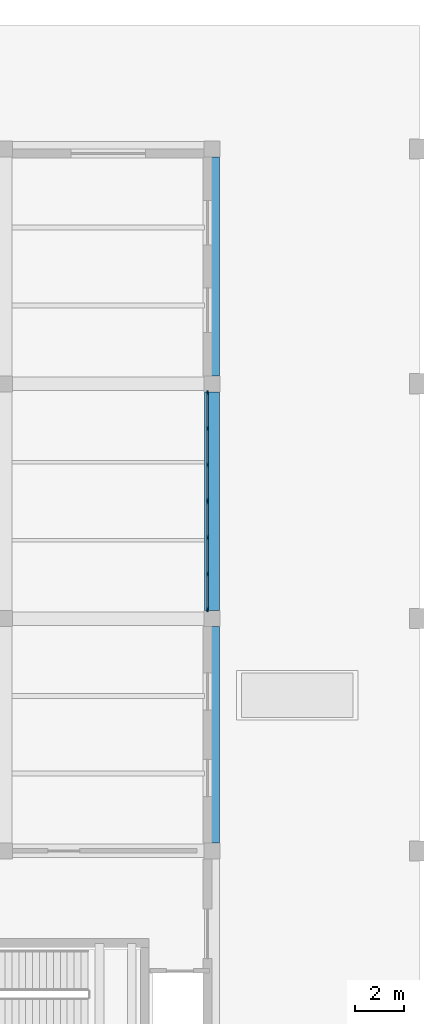
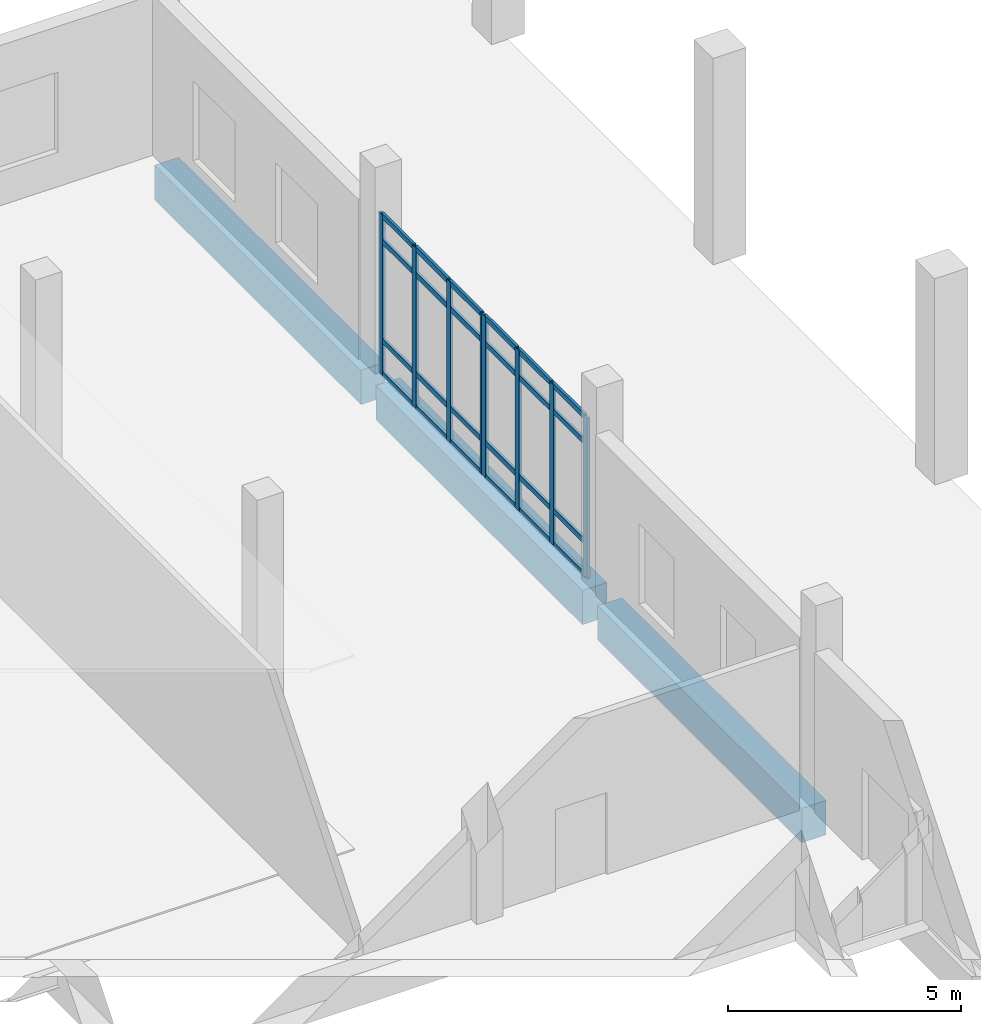
# One storey, part 25 of 79: 32 members, 3 beams, 2 elements without a shape of their own.
"""IFC4 building model written with IfcOpenShell, lengths in metres."""

from ifc_helpers import new_model, si_unit, direction, frame, origin, origin_2d, place, context, subcontext, project, spatial, rectangle, extrude, material, layer, layer_set, material_profile, profile_set, type_object, element, aggregate, save


model = new_model("IFC4")

# Units and contexts
model_context = context("Model", 3, precision=1e-05, world=origin(), true_north=direction((0.0, 1.0)))
body_context = subcontext(model_context, "Body", "Model", "MODEL_VIEW")
ifc_project = project(units=[si_unit("LENGTHUNIT", "METRE"), si_unit("AREAUNIT", "SQUARE_METRE"), si_unit("VOLUMEUNIT", "CUBIC_METRE"), si_unit("PLANEANGLEUNIT", "RADIAN"), si_unit("MASSUNIT", "GRAM", prefix="KILO")], contexts=[model_context])

# Site, building, storey
site_placement = place(None, origin())
site = spatial("IfcSite", under=ifc_project, at=site_placement, CompositionType="ELEMENT")
building_placement = place(site_placement, origin())
building = spatial("IfcBuilding", under=site, at=building_placement, Name="Kelarvand Opera House", CompositionType="ELEMENT")
storey_placement = place(building_placement, origin())
storey = spatial("IfcBuildingStorey", under=building, at=storey_placement, Name="L00", CompositionType="ELEMENT", Elevation=0.0)

# Curtain wall, members
ifc_material_1 = material(Name="Thermally broken aluminium and low-E glazing", Category="aluminium")
ifc_layer = layer(ifc_material_1, 0.179931640625, Name="Thermally broken aluminium and low-E glazing", Category="aluminium")
ifc_layer_set = layer_set([ifc_layer], Name="Thermally broken aluminium and low-E glazing")
curtain_wall_type = type_object("IfcCurtainWallType", Name="Unitised Low-E Curtain Wall 4411x4200 Mod 1350 CWF-11", PredefinedType="USERDEFINED", material=ifc_layer_set)
curtain_wall_1_placement = place(storey_placement, origin())
curtain_wall_1 = element("IfcCurtainWall", 1, at=curtain_wall_1_placement, inside=storey, type_object=curtain_wall_type, Name="V3 L00 Curtain Wall CWF-11 (39)", ObjectType="UNITISED CURTAIN WALL", PredefinedType="USERDEFINED")
ifc_material_2 = material(Name="Thermally broken anodised aluminium", Category="aluminium")
ifc_material_profile_1 = material_profile(ifc_material_2, rectangle(XDim=0.06494140625, YDim=0.179931640625, at=origin_2d()), Name="ALU MULLION 65x180", Category="aluminium")
ifc_profile_set_1 = profile_set([ifc_material_profile_1], Name="Thermally broken anodised aluminium")
member_type_1 = type_object("IfcMemberType", Name="Curtain Wall Mullion 65x180 Aluminium", PredefinedType="MULLION", material=ifc_profile_set_1)
member_1_placement = place(storey_placement, frame((42.419921875, 115.132568359375, 0.0), z_axis=(0.0, 0.0, 1.0), x_axis=(1.0, 0.0, 0.0)))
member_1 = element("IfcMember", 2, at=member_1_placement, type_object=member_type_1, Name="CWF-11 mullion 1", PredefinedType="MULLION", context=body_context, shape_type="SweptSolid", body=[
    extrude(rectangle(XDim=0.06494140625, YDim=0.179931640625, at=origin_2d()), origin(), (0.0, 0.0, 1.0), 4.199951171875),
])
member_2_placement = place(storey_placement, frame((42.419921875, 113.694580078125, 0.0), z_axis=(0.0, 0.0, 1.0), x_axis=(1.0, 0.0, 0.0)))
member_2 = element("IfcMember", 3, at=member_2_placement, type_object=member_type_1, Name="CWF-11 mullion 2", PredefinedType="MULLION", context=body_context, shape_type="SweptSolid", body=[
    extrude(rectangle(XDim=0.06494140625, YDim=0.179931640625, at=origin_2d()), origin(), (0.0, 0.0, 1.0), 4.199951171875),
])
member_3_placement = place(storey_placement, frame((42.419921875, 112.224365234375, 0.0), z_axis=(0.0, 0.0, 1.0), x_axis=(1.0, 0.0, 0.0)))
member_3 = element("IfcMember", 4, at=member_3_placement, type_object=member_type_1, Name="CWF-11 mullion 3", PredefinedType="MULLION", context=body_context, shape_type="SweptSolid", body=[
    extrude(rectangle(XDim=0.06494140625, YDim=0.179931640625, at=origin_2d()), origin(), (0.0, 0.0, 1.0), 4.199951171875),
])
member_4_placement = place(storey_placement, frame((42.419921875, 110.78662109375, 0.0), z_axis=(0.0, 0.0, 1.0), x_axis=(1.0, 0.0, 0.0)))
member_4 = element("IfcMember", 5, at=member_4_placement, type_object=member_type_1, Name="CWF-11 mullion 4", PredefinedType="MULLION", context=body_context, shape_type="SweptSolid", body=[
    extrude(rectangle(XDim=0.06494140625, YDim=0.179931640625, at=origin_2d()), origin(), (0.0, 0.0, 1.0), 4.199951171875),
])

curtain_wall_2_placement = place(storey_placement, origin())
curtain_wall_2 = element("IfcCurtainWall", 6, at=curtain_wall_2_placement, inside=storey, type_object=curtain_wall_type, Name="V3 L00 Curtain Wall CWF-11 (40)", ObjectType="UNITISED CURTAIN WALL", PredefinedType="USERDEFINED")
member_5_placement = place(storey_placement, frame((42.419921875, 110.717529296875, 0.0), z_axis=(0.0, 0.0, 1.0), x_axis=(1.0, 0.0, 0.0)))
member_5 = element("IfcMember", 7, at=member_5_placement, type_object=member_type_1, Name="CWF-11 mullion 1", PredefinedType="MULLION", context=body_context, shape_type="SweptSolid", body=[
    extrude(rectangle(XDim=0.06494140625, YDim=0.179931640625, at=origin_2d()), origin(), (0.0, 0.0, 1.0), 4.199951171875),
])
member_6_placement = place(storey_placement, frame((42.419921875, 109.2783203125, 0.0), z_axis=(0.0, 0.0, 1.0), x_axis=(1.0, 0.0, 0.0)))
member_6 = element("IfcMember", 8, at=member_6_placement, type_object=member_type_1, Name="CWF-11 mullion 2", PredefinedType="MULLION", context=body_context, shape_type="SweptSolid", body=[
    extrude(rectangle(XDim=0.06494140625, YDim=0.179931640625, at=origin_2d()), origin(), (0.0, 0.0, 1.0), 4.199951171875),
])
member_7_placement = place(storey_placement, frame((42.419921875, 107.806640625, 0.0), z_axis=(0.0, 0.0, 1.0), x_axis=(1.0, 0.0, 0.0)))
member_7 = element("IfcMember", 9, at=member_7_placement, type_object=member_type_1, Name="CWF-11 mullion 3", PredefinedType="MULLION", context=body_context, shape_type="SweptSolid", body=[
    extrude(rectangle(XDim=0.06494140625, YDim=0.179931640625, at=origin_2d()), origin(), (0.0, 0.0, 1.0), 4.199951171875),
])
member_8_placement = place(storey_placement, frame((42.419921875, 106.367431640625, 0.0), z_axis=(0.0, 0.0, 1.0), x_axis=(1.0, 0.0, 0.0)))
member_8 = element("IfcMember", 10, at=member_8_placement, type_object=member_type_1, Name="CWF-11 mullion 4", PredefinedType="MULLION", context=body_context, shape_type="SweptSolid", body=[
    extrude(rectangle(XDim=0.06494140625, YDim=0.179931640625, at=origin_2d()), origin(), (0.0, 0.0, 1.0), 4.199951171875),
])

# Member
ifc_material_profile_2 = material_profile(ifc_material_2, rectangle(XDim=0.06494140625, YDim=0.139892578125, at=origin_2d()), Name="ALU TRANSOM 65x140", Category="aluminium")
ifc_profile_set_2 = profile_set([ifc_material_profile_2], Name="Thermally broken anodised aluminium")
member_type_2 = type_object("IfcMemberType", Name="Curtain Wall Transom 65x140 Aluminium", PredefinedType="USERDEFINED", material=ifc_profile_set_2)
member_9_placement = place(storey_placement, frame((42.419921875, 115.10009765625, 0.032470703125), z_axis=(0.0, -1.0, 0.0), x_axis=(1.0, 0.0, 0.0)))
member_9 = element("IfcMember", 11, at=member_9_placement, type_object=member_type_2, Name="CWF-11 transom 1.1", ObjectType="TRANSOM", PredefinedType="USERDEFINED", context=body_context, shape_type="SweptSolid", body=[
    extrude(rectangle(XDim=0.06494140625, YDim=0.139892578125, at=origin_2d()), origin(), (0.0, 0.0, 1.0), 1.373046875),
])

member_10_placement = place(storey_placement, frame((42.419921875, 115.10009765625, 0.89990234375), z_axis=(0.0, -1.0, 0.0), x_axis=(1.0, 0.0, 0.0)))
member_10 = element("IfcMember", 12, at=member_10_placement, type_object=member_type_2, Name="CWF-11 transom 1.2", ObjectType="TRANSOM", PredefinedType="USERDEFINED", context=body_context, shape_type="SweptSolid", body=[
    extrude(rectangle(XDim=0.06494140625, YDim=0.139892578125, at=origin_2d()), origin(), (0.0, 0.0, 1.0), 1.373046875),
])

member_11_placement = place(storey_placement, frame((42.419921875, 115.10009765625, 3.5), z_axis=(0.0, -1.0, 0.0), x_axis=(1.0, 0.0, 0.0)))
member_11 = element("IfcMember", 13, at=member_11_placement, type_object=member_type_2, Name="CWF-11 transom 1.3", ObjectType="TRANSOM", PredefinedType="USERDEFINED", context=body_context, shape_type="SweptSolid", body=[
    extrude(rectangle(XDim=0.06494140625, YDim=0.139892578125, at=origin_2d()), origin(), (0.0, 0.0, 1.0), 1.373046875),
])

member_12_placement = place(storey_placement, frame((42.419921875, 115.10009765625, 4.16748046875), z_axis=(0.0, -1.0, 0.0), x_axis=(1.0, 0.0, 0.0)))
member_12 = element("IfcMember", 14, at=member_12_placement, type_object=member_type_2, Name="CWF-11 transom 1.4", ObjectType="TRANSOM", PredefinedType="USERDEFINED", context=body_context, shape_type="SweptSolid", body=[
    extrude(rectangle(XDim=0.06494140625, YDim=0.139892578125, at=origin_2d()), origin(), (0.0, 0.0, 1.0), 1.373046875),
])

member_13_placement = place(storey_placement, frame((42.419921875, 113.662109375, 0.032470703125), z_axis=(0.0, -1.0, 0.0), x_axis=(1.0, 0.0, 0.0)))
member_13 = element("IfcMember", 15, at=member_13_placement, type_object=member_type_2, Name="CWF-11 transom 2.1", ObjectType="TRANSOM", PredefinedType="USERDEFINED", context=body_context, shape_type="SweptSolid", body=[
    extrude(rectangle(XDim=0.06494140625, YDim=0.139892578125, at=origin_2d()), origin(), (0.0, 0.0, 1.0), 1.4052734375),
])

member_14_placement = place(storey_placement, frame((42.419921875, 113.662109375, 0.89990234375), z_axis=(0.0, -1.0, 0.0), x_axis=(1.0, 0.0, 0.0)))
member_14 = element("IfcMember", 16, at=member_14_placement, type_object=member_type_2, Name="CWF-11 transom 2.2", ObjectType="TRANSOM", PredefinedType="USERDEFINED", context=body_context, shape_type="SweptSolid", body=[
    extrude(rectangle(XDim=0.06494140625, YDim=0.139892578125, at=origin_2d()), origin(), (0.0, 0.0, 1.0), 1.4052734375),
])

member_15_placement = place(storey_placement, frame((42.419921875, 113.662109375, 3.5), z_axis=(0.0, -1.0, 0.0), x_axis=(1.0, 0.0, 0.0)))
member_15 = element("IfcMember", 17, at=member_15_placement, type_object=member_type_2, Name="CWF-11 transom 2.3", ObjectType="TRANSOM", PredefinedType="USERDEFINED", context=body_context, shape_type="SweptSolid", body=[
    extrude(rectangle(XDim=0.06494140625, YDim=0.139892578125, at=origin_2d()), origin(), (0.0, 0.0, 1.0), 1.4052734375),
])

member_16_placement = place(storey_placement, frame((42.419921875, 113.662109375, 4.16748046875), z_axis=(0.0, -1.0, 0.0), x_axis=(1.0, 0.0, 0.0)))
member_16 = element("IfcMember", 18, at=member_16_placement, type_object=member_type_2, Name="CWF-11 transom 2.4", ObjectType="TRANSOM", PredefinedType="USERDEFINED", context=body_context, shape_type="SweptSolid", body=[
    extrude(rectangle(XDim=0.06494140625, YDim=0.139892578125, at=origin_2d()), origin(), (0.0, 0.0, 1.0), 1.4052734375),
])

member_17_placement = place(storey_placement, frame((42.419921875, 112.19189453125, 0.032470703125), z_axis=(0.0, -1.0, 0.0), x_axis=(1.0, 0.0, 0.0)))
member_17 = element("IfcMember", 19, at=member_17_placement, type_object=member_type_2, Name="CWF-11 transom 3.1", ObjectType="TRANSOM", PredefinedType="USERDEFINED", context=body_context, shape_type="SweptSolid", body=[
    extrude(rectangle(XDim=0.06494140625, YDim=0.139892578125, at=origin_2d()), origin(), (0.0, 0.0, 1.0), 1.372802734375),
])

member_18_placement = place(storey_placement, frame((42.419921875, 112.19189453125, 0.89990234375), z_axis=(0.0, -1.0, 0.0), x_axis=(1.0, 0.0, 0.0)))
member_18 = element("IfcMember", 20, at=member_18_placement, type_object=member_type_2, Name="CWF-11 transom 3.2", ObjectType="TRANSOM", PredefinedType="USERDEFINED", context=body_context, shape_type="SweptSolid", body=[
    extrude(rectangle(XDim=0.06494140625, YDim=0.139892578125, at=origin_2d()), origin(), (0.0, 0.0, 1.0), 1.372802734375),
])

member_19_placement = place(storey_placement, frame((42.419921875, 112.19189453125, 3.5), z_axis=(0.0, -1.0, 0.0), x_axis=(1.0, 0.0, 0.0)))
member_19 = element("IfcMember", 21, at=member_19_placement, type_object=member_type_2, Name="CWF-11 transom 3.3", ObjectType="TRANSOM", PredefinedType="USERDEFINED", context=body_context, shape_type="SweptSolid", body=[
    extrude(rectangle(XDim=0.06494140625, YDim=0.139892578125, at=origin_2d()), origin(), (0.0, 0.0, 1.0), 1.372802734375),
])

member_20_placement = place(storey_placement, frame((42.419921875, 112.19189453125, 4.16748046875), z_axis=(0.0, -1.0, 0.0), x_axis=(1.0, 0.0, 0.0)))
member_20 = element("IfcMember", 22, at=member_20_placement, type_object=member_type_2, Name="CWF-11 transom 3.4", ObjectType="TRANSOM", PredefinedType="USERDEFINED", context=body_context, shape_type="SweptSolid", body=[
    extrude(rectangle(XDim=0.06494140625, YDim=0.139892578125, at=origin_2d()), origin(), (0.0, 0.0, 1.0), 1.372802734375),
])

aggregate(curtain_wall_1, [member_1, member_2, member_3, member_4, member_9, member_10, member_11, member_12, member_13, member_14, member_15, member_16, member_17, member_18, member_19, member_20])

member_21_placement = place(storey_placement, frame((42.419921875, 110.68505859375, 0.032470703125), z_axis=(0.0, -1.0, 0.0), x_axis=(1.0, 0.0, 0.0)))
member_21 = element("IfcMember", 23, at=member_21_placement, type_object=member_type_2, Name="CWF-11 transom 1.1", ObjectType="TRANSOM", PredefinedType="USERDEFINED", context=body_context, shape_type="SweptSolid", body=[
    extrude(rectangle(XDim=0.06494140625, YDim=0.139892578125, at=origin_2d()), origin(), (0.0, 0.0, 1.0), 1.374267578125),
])

member_22_placement = place(storey_placement, frame((42.419921875, 110.68505859375, 0.89990234375), z_axis=(0.0, -1.0, 0.0), x_axis=(1.0, 0.0, 0.0)))
member_22 = element("IfcMember", 24, at=member_22_placement, type_object=member_type_2, Name="CWF-11 transom 1.2", ObjectType="TRANSOM", PredefinedType="USERDEFINED", context=body_context, shape_type="SweptSolid", body=[
    extrude(rectangle(XDim=0.06494140625, YDim=0.139892578125, at=origin_2d()), origin(), (0.0, 0.0, 1.0), 1.374267578125),
])

member_23_placement = place(storey_placement, frame((42.419921875, 110.68505859375, 3.5), z_axis=(0.0, -1.0, 0.0), x_axis=(1.0, 0.0, 0.0)))
member_23 = element("IfcMember", 25, at=member_23_placement, type_object=member_type_2, Name="CWF-11 transom 1.3", ObjectType="TRANSOM", PredefinedType="USERDEFINED", context=body_context, shape_type="SweptSolid", body=[
    extrude(rectangle(XDim=0.06494140625, YDim=0.139892578125, at=origin_2d()), origin(), (0.0, 0.0, 1.0), 1.374267578125),
])

member_24_placement = place(storey_placement, frame((42.419921875, 110.68505859375, 4.16748046875), z_axis=(0.0, -1.0, 0.0), x_axis=(1.0, 0.0, 0.0)))
member_24 = element("IfcMember", 26, at=member_24_placement, type_object=member_type_2, Name="CWF-11 transom 1.4", ObjectType="TRANSOM", PredefinedType="USERDEFINED", context=body_context, shape_type="SweptSolid", body=[
    extrude(rectangle(XDim=0.06494140625, YDim=0.139892578125, at=origin_2d()), origin(), (0.0, 0.0, 1.0), 1.374267578125),
])

member_25_placement = place(storey_placement, frame((42.419921875, 109.245849609375, 0.032470703125), z_axis=(0.0, -1.0, 0.0), x_axis=(1.0, 0.0, 0.0)))
member_25 = element("IfcMember", 27, at=member_25_placement, type_object=member_type_2, Name="CWF-11 transom 2.1", ObjectType="TRANSOM", PredefinedType="USERDEFINED", context=body_context, shape_type="SweptSolid", body=[
    extrude(rectangle(XDim=0.06494140625, YDim=0.139892578125, at=origin_2d()), origin(), (0.0, 0.0, 1.0), 1.40673828125),
])

member_26_placement = place(storey_placement, frame((42.419921875, 109.245849609375, 0.89990234375), z_axis=(0.0, -1.0, 0.0), x_axis=(1.0, 0.0, 0.0)))
member_26 = element("IfcMember", 28, at=member_26_placement, type_object=member_type_2, Name="CWF-11 transom 2.2", ObjectType="TRANSOM", PredefinedType="USERDEFINED", context=body_context, shape_type="SweptSolid", body=[
    extrude(rectangle(XDim=0.06494140625, YDim=0.139892578125, at=origin_2d()), origin(), (0.0, 0.0, 1.0), 1.40673828125),
])

member_27_placement = place(storey_placement, frame((42.419921875, 109.245849609375, 3.5), z_axis=(0.0, -1.0, 0.0), x_axis=(1.0, 0.0, 0.0)))
member_27 = element("IfcMember", 29, at=member_27_placement, type_object=member_type_2, Name="CWF-11 transom 2.3", ObjectType="TRANSOM", PredefinedType="USERDEFINED", context=body_context, shape_type="SweptSolid", body=[
    extrude(rectangle(XDim=0.06494140625, YDim=0.139892578125, at=origin_2d()), origin(), (0.0, 0.0, 1.0), 1.40673828125),
])

member_28_placement = place(storey_placement, frame((42.419921875, 109.245849609375, 4.16748046875), z_axis=(0.0, -1.0, 0.0), x_axis=(1.0, 0.0, 0.0)))
member_28 = element("IfcMember", 30, at=member_28_placement, type_object=member_type_2, Name="CWF-11 transom 2.4", ObjectType="TRANSOM", PredefinedType="USERDEFINED", context=body_context, shape_type="SweptSolid", body=[
    extrude(rectangle(XDim=0.06494140625, YDim=0.139892578125, at=origin_2d()), origin(), (0.0, 0.0, 1.0), 1.40673828125),
])

member_29_placement = place(storey_placement, frame((42.419921875, 107.774169921875, 0.032470703125), z_axis=(0.0, -1.0, 0.0), x_axis=(1.0, 0.0, 0.0)))
member_29 = element("IfcMember", 31, at=member_29_placement, type_object=member_type_2, Name="CWF-11 transom 3.1", ObjectType="TRANSOM", PredefinedType="USERDEFINED", context=body_context, shape_type="SweptSolid", body=[
    extrude(rectangle(XDim=0.06494140625, YDim=0.139892578125, at=origin_2d()), origin(), (0.0, 0.0, 1.0), 1.374267578125),
])

member_30_placement = place(storey_placement, frame((42.419921875, 107.774169921875, 0.89990234375), z_axis=(0.0, -1.0, 0.0), x_axis=(1.0, 0.0, 0.0)))
member_30 = element("IfcMember", 32, at=member_30_placement, type_object=member_type_2, Name="CWF-11 transom 3.2", ObjectType="TRANSOM", PredefinedType="USERDEFINED", context=body_context, shape_type="SweptSolid", body=[
    extrude(rectangle(XDim=0.06494140625, YDim=0.139892578125, at=origin_2d()), origin(), (0.0, 0.0, 1.0), 1.374267578125),
])

member_31_placement = place(storey_placement, frame((42.419921875, 107.774169921875, 3.5), z_axis=(0.0, -1.0, 0.0), x_axis=(1.0, 0.0, 0.0)))
member_31 = element("IfcMember", 33, at=member_31_placement, type_object=member_type_2, Name="CWF-11 transom 3.3", ObjectType="TRANSOM", PredefinedType="USERDEFINED", context=body_context, shape_type="SweptSolid", body=[
    extrude(rectangle(XDim=0.06494140625, YDim=0.139892578125, at=origin_2d()), origin(), (0.0, 0.0, 1.0), 1.374267578125),
])

member_32_placement = place(storey_placement, frame((42.419921875, 107.774169921875, 4.16748046875), z_axis=(0.0, -1.0, 0.0), x_axis=(1.0, 0.0, 0.0)))
member_32 = element("IfcMember", 34, at=member_32_placement, type_object=member_type_2, Name="CWF-11 transom 3.4", ObjectType="TRANSOM", PredefinedType="USERDEFINED", context=body_context, shape_type="SweptSolid", body=[
    extrude(rectangle(XDim=0.06494140625, YDim=0.139892578125, at=origin_2d()), origin(), (0.0, 0.0, 1.0), 1.374267578125),
])

aggregate(curtain_wall_2, [member_5, member_6, member_7, member_8, member_21, member_22, member_23, member_24, member_25, member_26, member_27, member_28, member_29, member_30, member_31, member_32])

# Beams
ifc_material_3 = material(Name="Concrete C40/50", Category="concrete")
ifc_material_profile_3 = material_profile(ifc_material_3, rectangle(XDim=0.60009765625, YDim=0.89990234375, at=origin_2d()), Name="RC 600x900", Category="concrete")
ifc_profile_set_3 = profile_set([ifc_material_profile_3], Name="Concrete C40/50")
beam_type = type_object("IfcBeamType", Name="Structural Beam RC 600x900 BM-RC600x900", PredefinedType="BEAM", material=ifc_profile_set_3)
beam_placement = place(storey_placement, frame((42.60009765625, 96.925048828125, -0.75), z_axis=(0.0, 1.0, 0.0), x_axis=(-1.0, 0.0, 0.0)))
element("IfcBeam", 35, at=beam_placement, inside=storey, type_object=beam_type, Name="V3 L00 Beam BM-RC600x900", PredefinedType="BEAM", context=body_context, shape_type="SweptSolid", body=[
    extrude(rectangle(XDim=0.60009765625, YDim=0.89990234375, at=origin_2d()), origin(), (0.0, 0.0, 1.0), 8.75),
])
for number, where, z_axis, x_axis, name in (
    (36, (42.60009765625, 106.324951171875, -0.75), (0.0, 1.0, 0.0), (-1.0, 0.0, 0.0), "V3 L00 Beam BM-RC600x900"),
    (37, (42.60009765625, 115.824951171875, -0.75), (0.0, 1.0, 0.0), (-1.0, 0.0, 0.0), "V3 L00 Beam BM-RC600x900"),
):
    element("IfcBeam", number, at=place(storey_placement, frame(where, z_axis=z_axis, x_axis=x_axis)), inside=storey, type_object=beam_type, Name=name, PredefinedType="BEAM", context=body_context, shape_type="SweptSolid", body=[
        extrude(rectangle(XDim=0.60009765625, YDim=0.89990234375, at=origin_2d()), origin(), (0.0, 0.0, 1.0), 8.85009765625),
    ])

save(model, "model.ifc")
